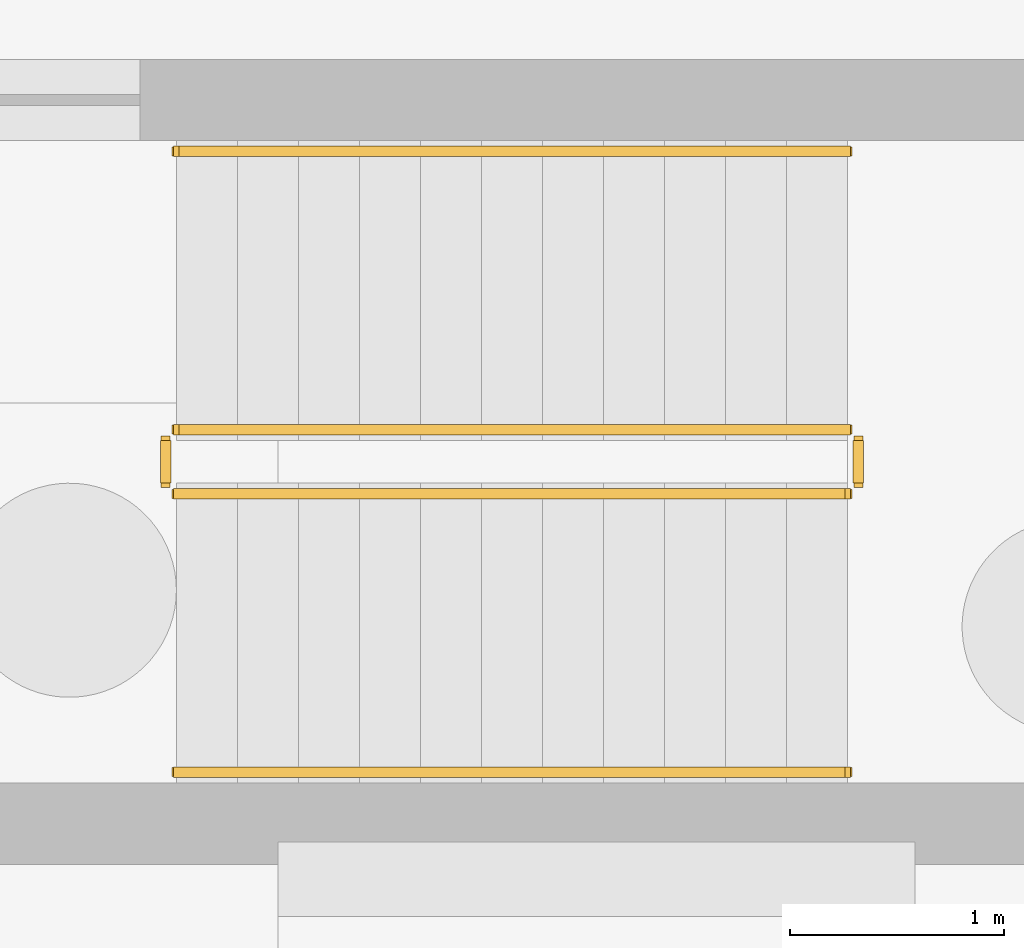
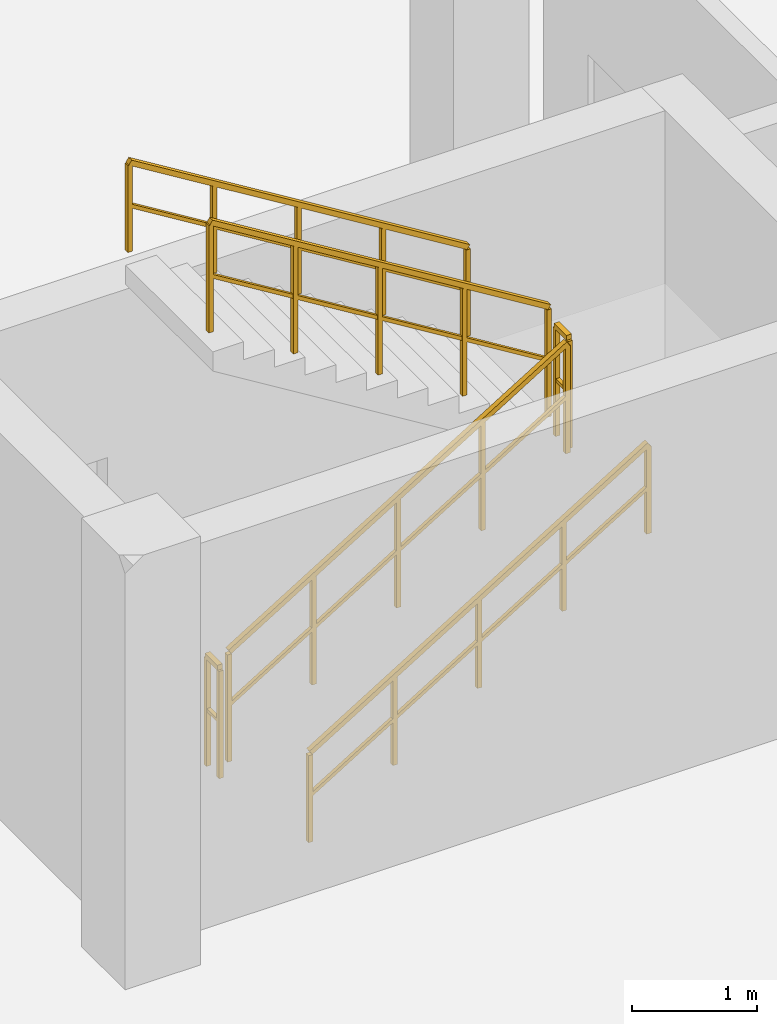
# One storey, part 55 of 56: 6 railings.
"""IFC4 building model written with IfcOpenShell, lengths in metres."""

import ifcopenshell
import ifcopenshell.guid

model = None  # the IFC model being written
_history = None  # IfcOwnerHistory: only IFC2X3 demands one
_inside = {}  # id of a spatial element -> (the spatial element, [elements in it])
_under = {}  # id of a project, library or spatial element -> (it, [spatial elements below it])
_declared = {}  # id of a project -> (the project, [libraries it declares])
_typed = {}  # id of a type object -> (the type object, [elements of that type])
_made_of = {}  # id of a material, layer set ... -> (it, [elements and type objects made of it])


def new_model(schema):
    """Start an empty IFC model of exactly this schema.

    Asked for "IFC4X3", IfcOpenShell would pick the latest addendum, in which some entities
    have other attributes; the version numbers below select the first issue.
    IFC2X3 requires an IfcOwnerHistory on every rooted entity: one is made here for all.
    """
    global model, _history
    if schema == "IFC4X3":
        model = ifcopenshell.file(schema_version=(4, 3, 0, 0))
    else:
        model = ifcopenshell.file(schema=schema)
    _inside.clear()
    _under.clear()
    _declared.clear()
    _typed.clear()
    _made_of.clear()
    _history = None
    if model.schema == "IFC2X3":
        org = make("IfcOrganization", Name="unknown")
        user = make(
            "IfcPersonAndOrganization",
            ThePerson=make("IfcPerson", FamilyName="unknown"),
            TheOrganization=org,
        )
        app = make(
            "IfcApplication",
            ApplicationDeveloper=org,
            Version="unknown",
            ApplicationFullName="unknown",
            ApplicationIdentifier="unknown",
        )
        _history = make(
            "IfcOwnerHistory",
            OwningUser=user,
            OwningApplication=app,
            ChangeAction="ADDED",
            CreationDate=0,
        )
    return model


def make(cls, **values):
    """One entity of the class cls with the attributes given. An attribute that is None is left unset."""
    return model.create_entity(
        cls, **{name: value for name, value in values.items() if value is not None}
    )


def rooted(cls, **values):
    """An entity with a GlobalId (a new one), such as an element, a storey or a relation."""
    return make(cls, GlobalId=ifcopenshell.guid.new(), OwnerHistory=_history, **values)


def si_unit(unit_type, name, prefix=None):
    """IfcSIUnit, for example si_unit("LENGTHUNIT", "METRE", prefix="MILLI")."""
    return make("IfcSIUnit", UnitType=unit_type, Prefix=prefix, Name=name)


def assignment(units):
    """IfcUnitAssignment: the units of a project."""
    return None if units is None else make("IfcUnitAssignment", Units=units)


def point(xyz):
    """IfcCartesianPoint."""
    return None if xyz is None else make("IfcCartesianPoint", Coordinates=xyz)


def direction(xyz):
    """IfcDirection."""
    return None if xyz is None else make("IfcDirection", DirectionRatios=xyz)


def frame(location, z_axis=None, x_axis=None):
    """IfcAxis2Placement3D, a coordinate frame: its origin and axes. An axis left out is left unset."""
    return make(
        "IfcAxis2Placement3D",
        Location=point(location),
        Axis=direction(z_axis),
        RefDirection=direction(x_axis),
    )


def frame_2d(location, x_axis=None):
    """IfcAxis2Placement2D, a coordinate frame in the plane: its origin and x axis."""
    return make(
        "IfcAxis2Placement2D", Location=point(location), RefDirection=direction(x_axis)
    )


def origin():
    """The frame at (0, 0, 0) with its axes left unset."""
    return frame((0.0, 0.0, 0.0))


def origin_2d():
    """The frame at (0, 0) in the plane with its x axis left unset."""
    return frame_2d((0.0, 0.0))


def place(relative_to, where):
    """IfcLocalPlacement: puts the frame where relative to a parent placement (None: the world)."""
    return make(
        "IfcLocalPlacement", PlacementRelTo=relative_to, RelativePlacement=where
    )


def context(
    kind, dimensions, precision=None, world=None, true_north=None, identifier=None
):
    """IfcGeometricRepresentationContext, for example the 3D "Model" context."""
    return make(
        "IfcGeometricRepresentationContext",
        ContextIdentifier=identifier,
        ContextType=kind,
        CoordinateSpaceDimension=dimensions,
        Precision=precision,
        WorldCoordinateSystem=world,
        TrueNorth=true_north,
    )


def subcontext(parent, identifier, kind, view, scale=None):
    """IfcGeometricRepresentationSubContext, for example "Body" below "Model"."""
    return make(
        "IfcGeometricRepresentationSubContext",
        ContextIdentifier=identifier,
        ContextType=kind,
        ParentContext=parent,
        TargetScale=scale,
        TargetView=view,
    )


def project(units=None, contexts=None):
    """IfcProject with its units and contexts."""
    return rooted(
        "IfcProject",
        Name="project",
        RepresentationContexts=contexts,
        UnitsInContext=assignment(units),
    )


def spatial(cls, under=None, at=None, **own):
    """A site, building, storey or space (cls), placed at a placement, below another one or the project."""
    s = rooted(cls, ObjectPlacement=at, **own)
    if under is not None:
        _under.setdefault(under.id(), (under, []))[1].append(s)
    return s


def profile(cls, at=None, kind="AREA", **sizes):
    """A parametric profile (cls). Its sizes go by their IFC names, for example OverallWidth=200.0."""
    return make(cls, ProfileType=kind, Position=at, **sizes)


def rectangle(**sizes):
    """IfcRectangleProfileDef."""
    return profile("IfcRectangleProfileDef", **sizes)


def extrude(swept, where, along, depth):
    """IfcExtrudedAreaSolid: the profile swept, set in the frame where, extruded along a direction by depth."""
    return make(
        "IfcExtrudedAreaSolid",
        SweptArea=swept,
        Position=where,
        ExtrudedDirection=direction(along),
        Depth=depth,
    )


def shape(context_of_items, identifier, shape_type, items):
    """IfcShapeRepresentation: the items that make up one representation, for example the "Body"."""
    return make(
        "IfcShapeRepresentation",
        ContextOfItems=context_of_items,
        RepresentationIdentifier=identifier,
        RepresentationType=shape_type,
        Items=items,
    )


def material(Name=None, Category=None):
    """IfcMaterial."""
    return make("IfcMaterial", Name=Name, Category=Category)


def made_of(thing, what):
    """Note that an element or type object is made of a material, layer set ...; save() writes the relation."""
    if what is not None:
        _made_of.setdefault(what.id(), (what, []))[1].append(thing)
    return thing


def type_object(cls, material=None, **own):
    """A type object (cls), such as IfcWallType, which elements share."""
    return made_of(rooted(cls, **own), material)


def element(
    cls,
    number,
    at=None,
    inside=None,
    cuts=None,
    type_object=None,
    material=None,
    context=None,
    identifier="Body",
    shape_type=None,
    held_by="IfcProductDefinitionShape",
    body=None,
    shapes=None,
    **own,
):
    """One element of the class cls, such as IfcWall. Its Tag is "e" and its number.

    at: its placement. inside: the storey or other place that contains it. cuts: it is an
    opening in that element (IfcRelVoidsElement). A single representation is given by context,
    identifier, shape_type and body (its items); several are given by shapes. held_by: the class
    of the entity that holds the representations. save() writes the other relations.
    """
    e = rooted(cls, Tag="e%d" % number, ObjectPlacement=at, **own)
    if body is not None:
        shapes = [shape(context, identifier, shape_type, body)]
    if shapes is not None:
        e.Representation = make(held_by, Representations=shapes)
    if inside is not None:
        _inside.setdefault(inside.id(), (inside, []))[1].append(e)
    if cuts is not None:
        rooted(
            "IfcRelVoidsElement", RelatingBuildingElement=cuts, RelatedOpeningElement=e
        )
    if type_object is not None:
        _typed.setdefault(type_object.id(), (type_object, []))[1].append(e)
    return made_of(e, material)


def aggregate(whole, parts):
    """IfcRelAggregates: a whole, such as a stair, and the parts it consists of."""
    return rooted("IfcRelAggregates", RelatingObject=whole, RelatedObjects=parts)


def save(model, path):
    """Write the relations noted so far, then the file.

    IfcRelAggregates (storeys below a building ...), IfcRelContainedInSpatialStructure (elements
    in a storey), IfcRelDefinesByType, IfcRelAssociatesMaterial and IfcRelDeclares: one each for
    every whole, place, type object, material and project.
    """
    for whole, parts in _under.values():
        aggregate(whole, parts)
    for where, things in _inside.values():
        rooted(
            "IfcRelContainedInSpatialStructure",
            RelatedElements=things,
            RelatingStructure=where,
        )
    for kind, things in _typed.values():
        rooted("IfcRelDefinesByType", RelatedObjects=things, RelatingType=kind)
    for what, things in _made_of.values():
        rooted("IfcRelAssociatesMaterial", RelatedObjects=things, RelatingMaterial=what)
    for by, libraries in _declared.values():
        rooted("IfcRelDeclares", RelatingContext=by, RelatedDefinitions=libraries)
    model.write(path)


model = new_model("IFC4")

# Units and contexts
model_context = context("Model", 3, precision=1e-05, world=origin(), true_north=direction((0.0, 1.0)))
body_context = subcontext(model_context, "Body", "Model", "MODEL_VIEW")
ifc_project = project(units=[si_unit("LENGTHUNIT", "METRE"), si_unit("AREAUNIT", "SQUARE_METRE"), si_unit("VOLUMEUNIT", "CUBIC_METRE"), si_unit("PLANEANGLEUNIT", "RADIAN"), si_unit("MASSUNIT", "GRAM", prefix="KILO")], contexts=[model_context])

# Site, building, storey
site_placement = place(None, origin())
site = spatial("IfcSite", under=ifc_project, at=site_placement, CompositionType="ELEMENT")
building_placement = place(site_placement, origin())
building = spatial("IfcBuilding", under=site, at=building_placement, Name="Suanplinth Sawtooth Commons", CompositionType="ELEMENT")
storey_placement = place(building_placement, frame((0.0, 0.0, -4.199951171875)))
storey = spatial("IfcBuildingStorey", under=building, at=storey_placement, Name="B1", CompositionType="ELEMENT", Elevation=-4.199951171875)

# Railings
ifc_material = material(Name="Stainless steel Grade 304", Category="steel")
railing_type_1 = type_object("IfcRailingType", Name="GR-04", PredefinedType="GUARDRAIL", material=ifc_material)
railing_1_placement = place(storey_placement, frame((138.64990234375, 109.800048828125, 0.175048828125)))
element("IfcRailing", 1, at=railing_1_placement, inside=storey, type_object=railing_type_1, Name="B1 ST-E1 Guard 1", PredefinedType="GUARDRAIL", context=body_context, shape_type="SweptSolid", body=[
    extrude(rectangle(XDim=0.048095703125, YDim=0.048095703125, at=origin_2d()), frame((0.0, 0.0, 1.076171875), z_axis=(0.852195625947, 0.0, 0.523223293744), x_axis=(0.0, 1.0, 0.0)), (0.0, 0.0, 1.0), 3.6787109375),
    extrude(rectangle(XDim=0.03369140625, YDim=0.03369140625, at=origin_2d()), frame((0.0, 0.0, 0.550048828125), z_axis=(0.852195625947, 0.0, 0.523223293744), x_axis=(0.0, 1.0, 0.0)), (0.0, 0.0, 1.0), 3.6787109375),
    extrude(rectangle(XDim=0.0419921875, YDim=0.0419921875, at=origin_2d()), origin(), (0.0, 0.0, 1.0), 1.052001953125),
    extrude(rectangle(XDim=0.0419921875, YDim=0.0419921875, at=origin_2d()), frame((0.78369140625, 0.0, 0.481201171875)), (0.0, 0.0, 1.0), 1.052001953125),
    extrude(rectangle(XDim=0.0419921875, YDim=0.0419921875, at=origin_2d()), frame((1.5673828125, 0.0, 0.96240234375)), (0.0, 0.0, 1.0), 1.052001953125),
    extrude(rectangle(XDim=0.0419921875, YDim=0.0419921875, at=origin_2d()), frame((2.351318359375, 0.0, 1.443603515625)), (0.0, 0.0, 1.0), 1.052001953125),
    extrude(rectangle(XDim=0.0419921875, YDim=0.0419921875, at=origin_2d()), frame((3.135009765625, 0.0, 1.9248046875)), (0.0, 0.0, 1.0), 1.052001953125),
])
railing_2_placement = place(storey_placement, frame((141.8349609375, 109.85009765625, 2.099853515625)))
element("IfcRailing", 2, at=railing_2_placement, inside=storey, type_object=railing_type_1, Name="B1 ST-E1 Guard 2", PredefinedType="GUARDRAIL", context=body_context, shape_type="SweptSolid", body=[
    extrude(rectangle(XDim=0.048095703125, YDim=0.048095703125, at=origin_2d()), frame((0.0, 0.0, 1.076171875), z_axis=(0.0, 1.0, 0.0), x_axis=(-1.0, 0.0, 0.0)), (0.0, 0.0, 1.0), 0.199951171875),
    extrude(rectangle(XDim=0.03369140625, YDim=0.03369140625, at=origin_2d()), frame((0.0, 0.0, 0.550048828125), z_axis=(0.0, 1.0, 0.0), x_axis=(-1.0, 0.0, 0.0)), (0.0, 0.0, 1.0), 0.199951171875),
    extrude(rectangle(XDim=0.0419921875, YDim=0.0419921875, at=origin_2d()), origin(), (0.0, 0.0, 1.0), 1.052001953125),
    extrude(rectangle(XDim=0.0419921875, YDim=0.0419921875, at=origin_2d()), frame((0.0, 0.199951171875, 0.0)), (0.0, 0.0, 1.0), 1.052001953125),
])
railing_3_placement = place(storey_placement, frame((141.784912109375, 110.10009765625, 2.27490234375)))
element("IfcRailing", 3, at=railing_3_placement, inside=storey, type_object=railing_type_1, Name="B1 ST-E1 Guard 3", PredefinedType="GUARDRAIL", context=body_context, shape_type="SweptSolid", body=[
    extrude(rectangle(XDim=0.048095703125, YDim=0.048095703125, at=origin_2d()), frame((0.0, 0.0, 1.076171875), z_axis=(-0.852166034122, 0.0, 0.523271488128), x_axis=(0.0, -1.0, 0.0)), (0.0, 0.0, 1.0), 3.678955078125),
    extrude(rectangle(XDim=0.03369140625, YDim=0.03369140625, at=origin_2d()), frame((0.0, 0.0, 0.550048828125), z_axis=(-0.852166034122, 0.0, 0.523271488128), x_axis=(0.0, -1.0, 0.0)), (0.0, 0.0, 1.0), 3.678955078125),
    extrude(rectangle(XDim=0.0419921875, YDim=0.0419921875, at=origin_2d()), origin(), (0.0, 0.0, 1.0), 1.052001953125),
    extrude(rectangle(XDim=0.0419921875, YDim=0.0419921875, at=origin_2d()), frame((-0.78369140625, 0.0, 0.481201171875)), (0.0, 0.0, 1.0), 1.052001953125),
    extrude(rectangle(XDim=0.0419921875, YDim=0.0419921875, at=origin_2d()), frame((-1.5673828125, 0.0, 0.96240234375)), (0.0, 0.0, 1.0), 1.052001953125),
    extrude(rectangle(XDim=0.0419921875, YDim=0.0419921875, at=origin_2d()), frame((-2.351318359375, 0.0, 1.44384765625)), (0.0, 0.0, 1.0), 1.052001953125),
    extrude(rectangle(XDim=0.0419921875, YDim=0.0419921875, at=origin_2d()), frame((-3.135009765625, 0.0, 1.925048828125)), (0.0, 0.0, 1.0), 1.052001953125),
])
railing_4_placement = place(storey_placement, frame((138.60009765625, 109.85009765625, 0.0)))
element("IfcRailing", 4, at=railing_4_placement, inside=storey, type_object=railing_type_1, Name="B1 ST-E1 Guard 4", PredefinedType="GUARDRAIL", context=body_context, shape_type="SweptSolid", body=[
    extrude(rectangle(XDim=0.048095703125, YDim=0.048095703125, at=origin_2d()), frame((0.0, 0.0, 1.076171875), z_axis=(0.0, 1.0, 0.0), x_axis=(-1.0, 0.0, 0.0)), (0.0, 0.0, 1.0), 0.199951171875),
    extrude(rectangle(XDim=0.03369140625, YDim=0.03369140625, at=origin_2d()), frame((0.0, 0.0, 0.550048828125), z_axis=(0.0, 1.0, 0.0), x_axis=(-1.0, 0.0, 0.0)), (0.0, 0.0, 1.0), 0.199951171875),
    extrude(rectangle(XDim=0.0419921875, YDim=0.0419921875, at=origin_2d()), origin(), (0.0, 0.0, 1.0), 1.052001953125),
    extrude(rectangle(XDim=0.0419921875, YDim=0.0419921875, at=origin_2d()), frame((0.0, 0.199951171875, 0.0)), (0.0, 0.0, 1.0), 1.052001953125),
])
railing_type_2 = type_object("IfcRailingType", Name="HR-01", PredefinedType="HANDRAIL", material=ifc_material)
railing_5_placement = place(storey_placement, frame((138.64990234375, 108.5, 0.175048828125)))
element("IfcRailing", 5, at=railing_5_placement, inside=storey, type_object=railing_type_2, Name="B1 ST-E1 Handrail 1", PredefinedType="HANDRAIL", context=body_context, shape_type="SweptSolid", body=[
    extrude(rectangle(XDim=0.048095703125, YDim=0.048095703125, at=origin_2d()), frame((0.0, 0.0, 0.8759765625), z_axis=(0.852195625947, 0.0, 0.523223293744), x_axis=(0.0, 1.0, 0.0)), (0.0, 0.0, 1.0), 3.6787109375),
    extrude(rectangle(XDim=0.03369140625, YDim=0.03369140625, at=origin_2d()), frame((0.0, 0.0, 0.449951171875), z_axis=(0.852195625947, 0.0, 0.523223293744), x_axis=(0.0, 1.0, 0.0)), (0.0, 0.0, 1.0), 3.6787109375),
    extrude(rectangle(XDim=0.0419921875, YDim=0.0419921875, at=origin_2d()), origin(), (0.0, 0.0, 1.0), 0.851806640625),
    extrude(rectangle(XDim=0.0419921875, YDim=0.0419921875, at=origin_2d()), frame((0.78369140625, 0.0, 0.481201171875)), (0.0, 0.0, 1.0), 0.851806640625),
    extrude(rectangle(XDim=0.0419921875, YDim=0.0419921875, at=origin_2d()), frame((1.5673828125, 0.0, 0.96240234375)), (0.0, 0.0, 1.0), 0.851806640625),
    extrude(rectangle(XDim=0.0419921875, YDim=0.0419921875, at=origin_2d()), frame((2.351318359375, 0.0, 1.443603515625)), (0.0, 0.0, 1.0), 0.851806640625),
    extrude(rectangle(XDim=0.0419921875, YDim=0.0419921875, at=origin_2d()), frame((3.135009765625, 0.0, 1.9248046875)), (0.0, 0.0, 1.0), 0.851806640625),
])
railing_6_placement = place(storey_placement, frame((141.784912109375, 111.39990234375, 2.27490234375)))
element("IfcRailing", 6, at=railing_6_placement, inside=storey, type_object=railing_type_2, Name="B1 ST-E1 Handrail 2", PredefinedType="HANDRAIL", context=body_context, shape_type="SweptSolid", body=[
    extrude(rectangle(XDim=0.048095703125, YDim=0.048095703125, at=origin_2d()), frame((0.0, 0.0, 0.8759765625), z_axis=(-0.852166034122, 0.0, 0.523271488128), x_axis=(0.0, -1.0, 0.0)), (0.0, 0.0, 1.0), 3.678955078125),
    extrude(rectangle(XDim=0.03369140625, YDim=0.03369140625, at=origin_2d()), frame((0.0, 0.0, 0.449951171875), z_axis=(-0.852166034122, 0.0, 0.523271488128), x_axis=(0.0, -1.0, 0.0)), (0.0, 0.0, 1.0), 3.678955078125),
    extrude(rectangle(XDim=0.0419921875, YDim=0.0419921875, at=origin_2d()), origin(), (0.0, 0.0, 1.0), 0.851806640625),
    extrude(rectangle(XDim=0.0419921875, YDim=0.0419921875, at=origin_2d()), frame((-0.78369140625, 0.0, 0.481201171875)), (0.0, 0.0, 1.0), 0.851806640625),
    extrude(rectangle(XDim=0.0419921875, YDim=0.0419921875, at=origin_2d()), frame((-1.5673828125, 0.0, 0.96240234375)), (0.0, 0.0, 1.0), 0.851806640625),
    extrude(rectangle(XDim=0.0419921875, YDim=0.0419921875, at=origin_2d()), frame((-2.351318359375, 0.0, 1.44384765625)), (0.0, 0.0, 1.0), 0.851806640625),
    extrude(rectangle(XDim=0.0419921875, YDim=0.0419921875, at=origin_2d()), frame((-3.135009765625, 0.0, 1.925048828125)), (0.0, 0.0, 1.0), 0.851806640625),
])

save(model, "model.ifc")
